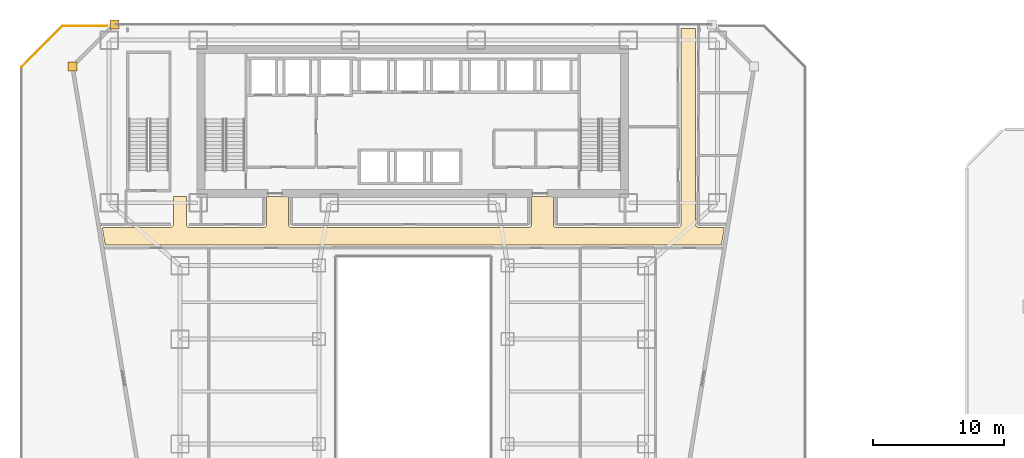
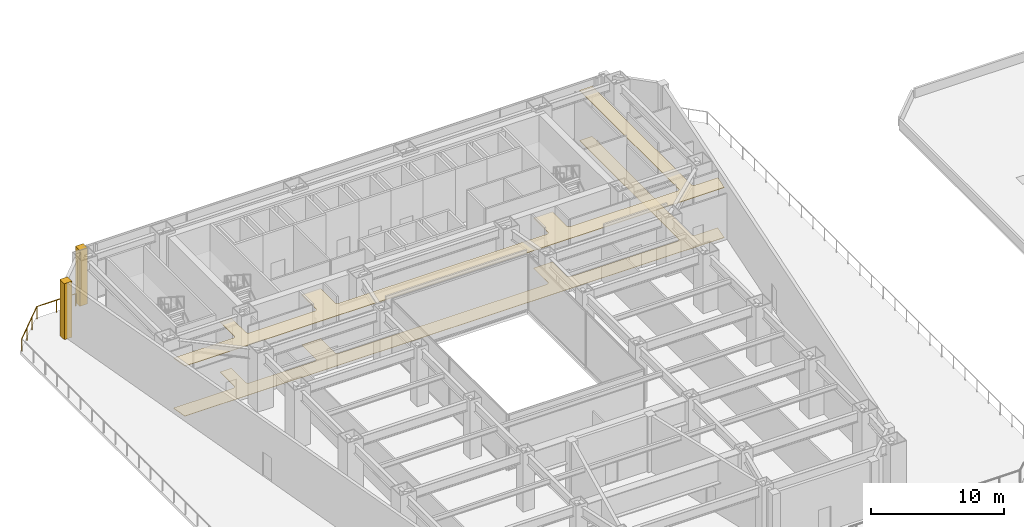
# One storey, part 27 of 29: 4 coverings, 2 railings.
"""IFC4 building model written with IfcOpenShell, lengths in metres."""

from ifc_helpers import new_model, si_unit, direction, frame, origin, origin_2d, place, context, subcontext, project, spatial, polyline, circle, outline, extrude, material, layer, layer_set, type_object, element, save


model = new_model("IFC4")

# Units and contexts
model_context = context("Model", 3, precision=1e-05, world=origin(), true_north=direction((0.0, 1.0)))
body_context = subcontext(model_context, "Body", "Model", "MODEL_VIEW")
ifc_project = project(units=[si_unit("LENGTHUNIT", "METRE"), si_unit("AREAUNIT", "SQUARE_METRE"), si_unit("VOLUMEUNIT", "CUBIC_METRE"), si_unit("PLANEANGLEUNIT", "RADIAN"), si_unit("MASSUNIT", "GRAM", prefix="KILO")], contexts=[model_context])

# Site, building, storey
site_placement = place(None, origin())
site = spatial("IfcSite", under=ifc_project, at=site_placement, CompositionType="ELEMENT")
building_placement = place(site_placement, origin())
building = spatial("IfcBuilding", under=site, at=building_placement, Name="Saevonmaru Cultural Tower", CompositionType="ELEMENT")
storey_placement = place(building_placement, frame((0.0, 0.0, 27.60009765625)))
storey = spatial("IfcBuildingStorey", under=building, at=storey_placement, Name="L05", CompositionType="ELEMENT", Elevation=27.60009765625)

# Coverings
ifc_material_1 = material(Name="Mineral Fibre Acoustic Ceiling", Category="gypsum")
ifc_layer_1 = layer(ifc_material_1, 0.044921875, Name="Mineral Fibre Acoustic Ceiling")
ifc_layer_set_1 = layer_set([ifc_layer_1], Name="Mineral Fibre Acoustic Ceiling")
covering_type_1 = type_object("IfcCoveringType", Name="CV-CEIL-ACOUSTIC", PredefinedType="CEILING", material=ifc_layer_set_1)
covering_1_placement = place(storey_placement, frame((0.0, 0.0, 4.599853515625)))
element("IfcCovering", 1, at=covering_1_placement, inside=storey, type_object=covering_type_1, Name="L05 Corridor Acoustic Ceiling", PredefinedType="CEILING", context=body_context, shape_type="SweptSolid", body=[
    extrude(outline(polyline([(6.4970703125, 39.169921875), (6.27392578125, 40.530029296875), (11.47998046875, 40.530029296875), (11.501953125, 40.531005859375), (11.52294921875, 40.533935546875), (11.5439453125, 40.5390625), (11.56396484375, 40.547119140625), (11.583984375, 40.555908203125), (11.60205078125, 40.56689453125), (11.6201171875, 40.580078125), (11.635986328125, 40.593994140625), (11.64990234375, 40.610107421875), (11.6630859375, 40.6279296875), (11.674072265625, 40.64599609375), (11.68310546875, 40.666015625), (11.69091796875, 40.68603515625), (11.696044921875, 40.70703125), (11.698974609375, 40.72802734375), (11.699951171875, 40.75), (11.699951171875, 42.889892578125), (12.699951171875, 42.889892578125), (12.699951171875, 40.75), (12.700927734375, 40.72802734375), (12.7041015625, 40.70703125), (12.708984375, 40.68603515625), (12.717041015625, 40.666015625), (12.72607421875, 40.64599609375), (12.737060546875, 40.6279296875), (12.75, 40.610107421875), (12.763916015625, 40.593994140625), (12.780029296875, 40.580078125), (12.798095703125, 40.56689453125), (12.81591796875, 40.555908203125), (12.8359375, 40.547119140625), (12.85595703125, 40.5390625), (12.876953125, 40.533935546875), (12.89794921875, 40.531005859375), (12.919921875, 40.530029296875), (18.60009765625, 40.530029296875), (18.6220703125, 40.531005859375), (18.64306640625, 40.533935546875), (18.6640625, 40.5390625), (18.68408203125, 40.547119140625), (18.7041015625, 40.555908203125), (18.721923828125, 40.56689453125), (18.739990234375, 40.580078125), (18.756103515625, 40.593994140625), (18.77001953125, 40.610107421875), (18.782958984375, 40.6279296875), (18.7939453125, 40.64599609375), (18.802978515625, 40.666015625), (18.81103515625, 40.68603515625), (18.81591796875, 40.70703125), (18.819091796875, 40.72802734375), (18.820068359375, 40.75), (18.820068359375, 42.889892578125), (20.47998046875, 42.889892578125), (20.47998046875, 40.75), (20.48095703125, 40.72802734375), (20.48388671875, 40.70703125), (20.489013671875, 40.68603515625), (20.4970703125, 40.666015625), (20.506103515625, 40.64599609375), (20.51708984375, 40.6279296875), (20.530029296875, 40.610107421875), (20.5439453125, 40.593994140625), (20.56005859375, 40.580078125), (20.577880859375, 40.56689453125), (20.595947265625, 40.555908203125), (20.615966796875, 40.547119140625), (20.635986328125, 40.5390625), (20.656982421875, 40.533935546875), (20.677978515625, 40.531005859375), (20.699951171875, 40.530029296875), (38.800048828125, 40.530029296875), (38.822021484375, 40.531005859375), (38.843017578125, 40.533935546875), (38.864013671875, 40.5390625), (38.884033203125, 40.547119140625), (38.904052734375, 40.555908203125), (38.922119140625, 40.56689453125), (38.93994140625, 40.580078125), (38.9560546875, 40.593994140625), (38.969970703125, 40.610107421875), (38.98291015625, 40.6279296875), (38.993896484375, 40.64599609375), (39.0029296875, 40.666015625), (39.010986328125, 40.68603515625), (39.01611328125, 40.70703125), (39.01904296875, 40.72802734375), (39.02001953125, 40.75), (39.02001953125, 42.889892578125), (40.679931640625, 42.889892578125), (40.679931640625, 40.75), (40.680908203125, 40.72802734375), (40.68408203125, 40.70703125), (40.68896484375, 40.68603515625), (40.697021484375, 40.666015625), (40.7060546875, 40.64599609375), (40.717041015625, 40.6279296875), (40.72998046875, 40.610107421875), (40.743896484375, 40.593994140625), (40.760009765625, 40.580078125), (40.778076171875, 40.56689453125), (40.7958984375, 40.555908203125), (40.81591796875, 40.547119140625), (40.8359375, 40.5390625), (40.85693359375, 40.533935546875), (40.8779296875, 40.531005859375), (40.89990234375, 40.530029296875), (50.199951171875, 40.530029296875), (50.221923828125, 40.531005859375), (50.242919921875, 40.533935546875), (50.263916015625, 40.5390625), (50.283935546875, 40.547119140625), (50.303955078125, 40.555908203125), (50.322021484375, 40.56689453125), (50.340087890625, 40.580078125), (50.35595703125, 40.593994140625), (50.3701171875, 40.610107421875), (50.383056640625, 40.6279296875), (50.39404296875, 40.64599609375), (50.403076171875, 40.666015625), (50.410888671875, 40.68603515625), (50.416015625, 40.70703125), (50.4189453125, 40.72802734375), (50.419921875, 40.75), (50.419921875, 55.699951171875), (51.530029296875, 55.699951171875), (51.530029296875, 40.75), (51.531005859375, 40.72802734375), (51.533935546875, 40.70703125), (51.5390625, 40.68603515625), (51.547119140625, 40.666015625), (51.555908203125, 40.64599609375), (51.56689453125, 40.6279296875), (51.580078125, 40.610107421875), (51.593994140625, 40.593994140625), (51.610107421875, 40.580078125), (51.6279296875, 40.56689453125), (51.64599609375, 40.555908203125), (51.666015625, 40.547119140625), (51.68603515625, 40.5390625), (51.70703125, 40.533935546875), (51.72802734375, 40.531005859375), (51.75, 40.530029296875), (53.72607421875, 40.530029296875), (53.5029296875, 39.169921875), (6.4970703125, 39.169921875)])), origin(), (0.0, 0.0, 1.0), 0.045166015625),
])
ifc_material_2 = material(Name="Satin Bronze Anodised Aluminium", Category="aluminium")
ifc_layer_2 = layer(ifc_material_2, 0.679931640625, Name="Satin Bronze Anodised Aluminium")
ifc_layer_set_2 = layer_set([ifc_layer_2], Name="Satin Bronze Anodised Aluminium")
covering_type_2 = type_object("IfcCoveringType", Name="CV-CORNER-CLAD", PredefinedType="CLADDING", material=ifc_layer_set_2)
covering_2_placement = place(storey_placement, origin())
element("IfcCovering", 2, at=covering_2_placement, inside=storey, type_object=covering_type_2, Name="L05 Tower Bronze Corner Cladding Pier 11", PredefinedType="CLADDING", context=body_context, shape_type="SweptSolid", body=[
    extrude(outline(polyline([(6.860107421875, 55.659912109375), (7.5400390625, 55.659912109375), (7.5400390625, 56.340087890625), (6.860107421875, 56.340087890625), (6.860107421875, 55.659912109375)])), origin(), (0.0, 0.0, 1.0), 5.14990234375),
])
covering_3_placement = place(storey_placement, origin())
element("IfcCovering", 3, at=covering_3_placement, inside=storey, type_object=covering_type_2, Name="L05 Tower Bronze Corner Cladding Pier 12", PredefinedType="CLADDING", context=body_context, shape_type="SweptSolid", body=[
    extrude(outline(polyline([(3.659912109375, 52.4599609375), (4.340087890625, 52.4599609375), (4.340087890625, 53.139892578125), (3.659912109375, 53.139892578125), (3.659912109375, 52.4599609375)])), origin(), (0.0, 0.0, 1.0), 5.14990234375),
])
ifc_material_3 = material(Name="Honed Granite Terrazzo", Category="masonry")
ifc_layer_3 = layer(ifc_material_3, 0.030029296875, Name="Honed Granite Terrazzo")
ifc_layer_set_3 = layer_set([ifc_layer_3], Name="Honed Granite Terrazzo")
covering_type_3 = type_object("IfcCoveringType", Name="CV-FLR-TERRAZZO", PredefinedType="FLOORING", material=ifc_layer_set_3)
covering_4_placement = place(storey_placement, origin())
element("IfcCovering", 4, at=covering_4_placement, inside=storey, type_object=covering_type_3, Name="L05 Corridor Terrazzo Flooring", PredefinedType="FLOORING", context=body_context, shape_type="SweptSolid", body=[
    extrude(outline(polyline([(6.4970703125, 39.169921875), (6.27392578125, 40.530029296875), (11.47998046875, 40.530029296875), (11.501953125, 40.531005859375), (11.52294921875, 40.533935546875), (11.5439453125, 40.5390625), (11.56396484375, 40.547119140625), (11.583984375, 40.555908203125), (11.60205078125, 40.56689453125), (11.6201171875, 40.580078125), (11.635986328125, 40.593994140625), (11.64990234375, 40.610107421875), (11.6630859375, 40.6279296875), (11.674072265625, 40.64599609375), (11.68310546875, 40.666015625), (11.69091796875, 40.68603515625), (11.696044921875, 40.70703125), (11.698974609375, 40.72802734375), (11.699951171875, 40.75), (11.699951171875, 42.889892578125), (12.699951171875, 42.889892578125), (12.699951171875, 40.75), (12.700927734375, 40.72802734375), (12.7041015625, 40.70703125), (12.708984375, 40.68603515625), (12.717041015625, 40.666015625), (12.72607421875, 40.64599609375), (12.737060546875, 40.6279296875), (12.75, 40.610107421875), (12.763916015625, 40.593994140625), (12.780029296875, 40.580078125), (12.798095703125, 40.56689453125), (12.81591796875, 40.555908203125), (12.8359375, 40.547119140625), (12.85595703125, 40.5390625), (12.876953125, 40.533935546875), (12.89794921875, 40.531005859375), (12.919921875, 40.530029296875), (18.60009765625, 40.530029296875), (18.6220703125, 40.531005859375), (18.64306640625, 40.533935546875), (18.6640625, 40.5390625), (18.68408203125, 40.547119140625), (18.7041015625, 40.555908203125), (18.721923828125, 40.56689453125), (18.739990234375, 40.580078125), (18.756103515625, 40.593994140625), (18.77001953125, 40.610107421875), (18.782958984375, 40.6279296875), (18.7939453125, 40.64599609375), (18.802978515625, 40.666015625), (18.81103515625, 40.68603515625), (18.81591796875, 40.70703125), (18.819091796875, 40.72802734375), (18.820068359375, 40.75), (18.820068359375, 42.889892578125), (20.47998046875, 42.889892578125), (20.47998046875, 40.75), (20.48095703125, 40.72802734375), (20.48388671875, 40.70703125), (20.489013671875, 40.68603515625), (20.4970703125, 40.666015625), (20.506103515625, 40.64599609375), (20.51708984375, 40.6279296875), (20.530029296875, 40.610107421875), (20.5439453125, 40.593994140625), (20.56005859375, 40.580078125), (20.577880859375, 40.56689453125), (20.595947265625, 40.555908203125), (20.615966796875, 40.547119140625), (20.635986328125, 40.5390625), (20.656982421875, 40.533935546875), (20.677978515625, 40.531005859375), (20.699951171875, 40.530029296875), (38.800048828125, 40.530029296875), (38.822021484375, 40.531005859375), (38.843017578125, 40.533935546875), (38.864013671875, 40.5390625), (38.884033203125, 40.547119140625), (38.904052734375, 40.555908203125), (38.922119140625, 40.56689453125), (38.93994140625, 40.580078125), (38.9560546875, 40.593994140625), (38.969970703125, 40.610107421875), (38.98291015625, 40.6279296875), (38.993896484375, 40.64599609375), (39.0029296875, 40.666015625), (39.010986328125, 40.68603515625), (39.01611328125, 40.70703125), (39.01904296875, 40.72802734375), (39.02001953125, 40.75), (39.02001953125, 42.889892578125), (40.679931640625, 42.889892578125), (40.679931640625, 40.75), (40.680908203125, 40.72802734375), (40.68408203125, 40.70703125), (40.68896484375, 40.68603515625), (40.697021484375, 40.666015625), (40.7060546875, 40.64599609375), (40.717041015625, 40.6279296875), (40.72998046875, 40.610107421875), (40.743896484375, 40.593994140625), (40.760009765625, 40.580078125), (40.778076171875, 40.56689453125), (40.7958984375, 40.555908203125), (40.81591796875, 40.547119140625), (40.8359375, 40.5390625), (40.85693359375, 40.533935546875), (40.8779296875, 40.531005859375), (40.89990234375, 40.530029296875), (50.199951171875, 40.530029296875), (50.221923828125, 40.531005859375), (50.242919921875, 40.533935546875), (50.263916015625, 40.5390625), (50.283935546875, 40.547119140625), (50.303955078125, 40.555908203125), (50.322021484375, 40.56689453125), (50.340087890625, 40.580078125), (50.35595703125, 40.593994140625), (50.3701171875, 40.610107421875), (50.383056640625, 40.6279296875), (50.39404296875, 40.64599609375), (50.403076171875, 40.666015625), (50.410888671875, 40.68603515625), (50.416015625, 40.70703125), (50.4189453125, 40.72802734375), (50.419921875, 40.75), (50.419921875, 55.699951171875), (51.530029296875, 55.699951171875), (51.530029296875, 40.75), (51.531005859375, 40.72802734375), (51.533935546875, 40.70703125), (51.5390625, 40.68603515625), (51.547119140625, 40.666015625), (51.555908203125, 40.64599609375), (51.56689453125, 40.6279296875), (51.580078125, 40.610107421875), (51.593994140625, 40.593994140625), (51.610107421875, 40.580078125), (51.6279296875, 40.56689453125), (51.64599609375, 40.555908203125), (51.666015625, 40.547119140625), (51.68603515625, 40.5390625), (51.70703125, 40.533935546875), (51.72802734375, 40.531005859375), (51.75, 40.530029296875), (53.72607421875, 40.530029296875), (53.5029296875, 39.169921875), (6.4970703125, 39.169921875)])), origin(), (0.0, 0.0, 1.0), 0.02978515625),
])

# Railings
railing_type = type_object("IfcRailingType", Name="RL-BALUSTRADE-1150", PredefinedType="BALUSTRADE", material=ifc_material_2)
railing_1_placement = place(storey_placement, frame((0.134033203125, 52.76416015625, 0.0)))
element("IfcRailing", 5, at=railing_1_placement, inside=storey, type_object=railing_type, Name="L05 Setback Terrace Balustrade 1-7", PredefinedType="BALUSTRADE", context=body_context, shape_type="SweptSolid", body=[
    extrude(circle(Radius=0.02392578125, at=origin_2d()), frame((0.0, 0.0, 1.1259765625), z_axis=(0.707106781187, 0.707106781187, 0.0), x_axis=(-0.707106781187, 0.707106781187, 0.0)), (0.0, 0.0, 1.0), 4.38671875),
    extrude(circle(Radius=0.02099609375, at=origin_2d()), origin(), (0.0, 0.0, 1.0), 1.101806640625),
    extrude(circle(Radius=0.02099609375, at=origin_2d()), frame((1.033935546875, 1.033935546875, 0.0)), (0.0, 0.0, 1.0), 1.101806640625),
    extrude(circle(Radius=0.02099609375, at=origin_2d()), frame((2.06787109375, 2.06787109375, 0.0)), (0.0, 0.0, 1.0), 1.101806640625),
    extrude(circle(Radius=0.02099609375, at=origin_2d()), frame((3.101806640625, 3.101806640625, 0.0)), (0.0, 0.0, 1.0), 1.101806640625),
])
railing_2_placement = place(storey_placement, frame((3.27001953125, 55.8798828125, 0.0)))
element("IfcRailing", 6, at=railing_2_placement, inside=storey, type_object=railing_type, Name="L05 Setback Terrace Balustrade 1-8", PredefinedType="BALUSTRADE", context=body_context, shape_type="SweptSolid", body=[
    extrude(circle(Radius=0.02392578125, at=origin_2d()), frame((0.0, 0.0, 1.1259765625), z_axis=(1.0, 0.0, 0.0), x_axis=(0.0, 1.0, 0.0)), (0.0, 0.0, 1.0), 3.365966796875),
    extrude(circle(Radius=0.02099609375, at=origin_2d()), origin(), (0.0, 0.0, 1.0), 1.101806640625),
    extrude(circle(Radius=0.02099609375, at=origin_2d()), frame((1.68310546875, 0.0, 0.0)), (0.0, 0.0, 1.0), 1.101806640625),
    extrude(circle(Radius=0.02099609375, at=origin_2d()), frame((3.365966796875, 0.0, 0.0)), (0.0, 0.0, 1.0), 1.101806640625),
])

save(model, "model.ifc")
